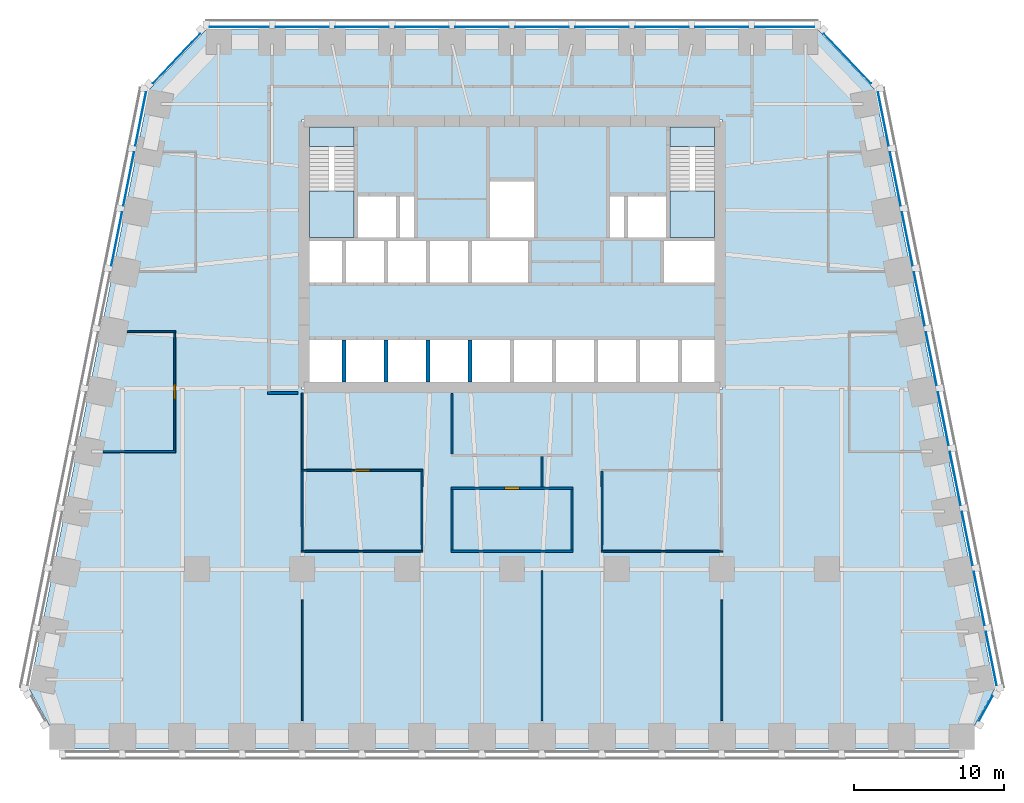
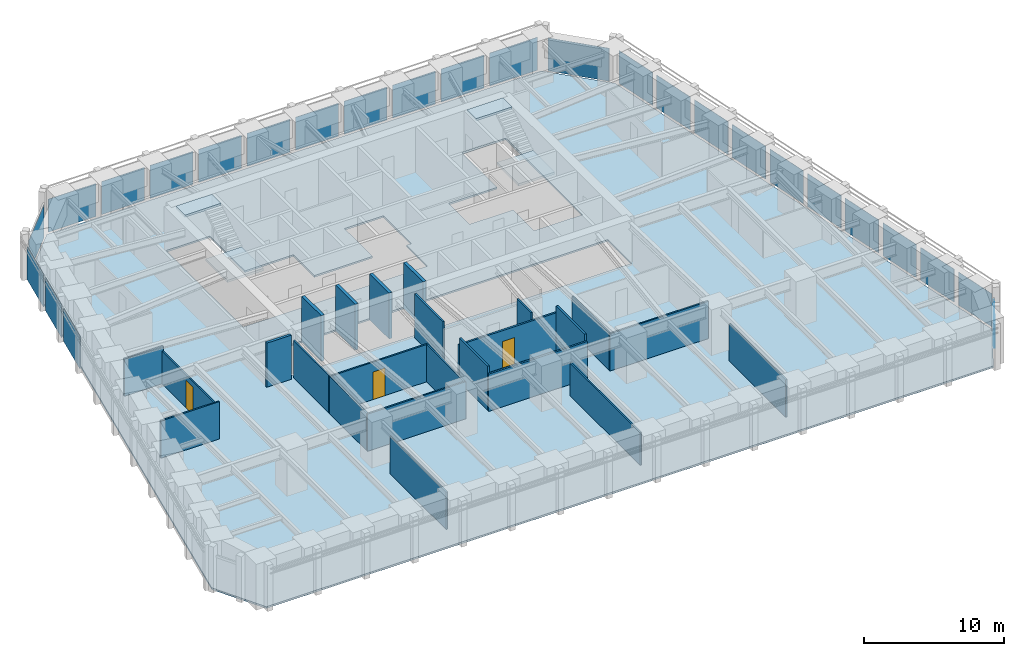
# One storey, part 5 of 10: 26 plates, 24 walls, 5 slabs, 3 doors, 3 openings, 8 elements without a shape of their own.
"""IFC4 building model written with IfcOpenShell, lengths in metres."""

from ifc_helpers import new_model, si_unit, direction, frame, frame_2d, origin, origin_2d, place, context, subcontext, project, spatial, polyline, rectangle, outline, extrude, material, layer, layer_set, type_object, element, fill, aggregate, save


model = new_model("IFC4")

# Units and contexts
model_context = context("Model", 3, precision=1e-05, world=origin(), true_north=direction((0.0, 1.0)))
body_context = subcontext(model_context, "Body", "Model", "MODEL_VIEW")
ifc_project = project(units=[si_unit("LENGTHUNIT", "METRE"), si_unit("AREAUNIT", "SQUARE_METRE"), si_unit("VOLUMEUNIT", "CUBIC_METRE"), si_unit("PLANEANGLEUNIT", "RADIAN"), si_unit("MASSUNIT", "GRAM", prefix="KILO")], contexts=[model_context])

# Site, building, storey
site_placement = place(None, origin())
site = spatial("IfcSite", under=ifc_project, at=site_placement, CompositionType="ELEMENT")
building_placement = place(site_placement, origin())
building = spatial("IfcBuilding", under=site, at=building_placement, Name="Isbrekke Arena Tower", CompositionType="ELEMENT")
storey_placement = place(building_placement, frame((0.0, 0.0, 139.0)))
storey = spatial("IfcBuildingStorey", under=building, at=storey_placement, Name="L31", CompositionType="ELEMENT", Elevation=139.0)

# Curtain wall, plate
ifc_material_1 = material(Name="Glazed aluminium curtain wall", Category="aluminium")
curtain_wall_type = type_object("IfcCurtainWallType", Name="CWM TOWER CURTAIN WALL MID ZONE", PredefinedType="USERDEFINED", material=ifc_material_1)
curtain_wall_1_placement = place(storey_placement, origin())
curtain_wall_1 = element("IfcCurtainWall", 1, at=curtain_wall_1_placement, inside=storey, type_object=curtain_wall_type, Name="CWM curtain wall L31-SE", ObjectType="TOWER CURTAIN WALL MID ZONE", PredefinedType="USERDEFINED")
ifc_material_2 = material(Name="Triple-glazed clear glass unit", Category="glass")
ifc_layer_1 = layer(ifc_material_2, 0.031982421875)
ifc_layer_set_1 = layer_set([ifc_layer_1], Name="CWM-P VISION PANEL")
plate_type = type_object("IfcPlateType", Name="CWM-P VISION PANEL", PredefinedType="CURTAIN_PANEL", material=ifc_layer_set_1)
plate_1_placement = place(storey_placement, frame((31.604248046875, -15.29052734375, 0.02001953125), z_axis=(0.0, 0.0, 1.0), x_axis=(0.481918749773, 0.876215908676, 0.0)))
plate_1 = element("IfcPlate", 2, at=plate_1_placement, type_object=plate_type, Name="CWM-P panel 1", PredefinedType="CURTAIN_PANEL", context=body_context, shape_type="SweptSolid", body=[
    extrude(rectangle(XDim=1.876220703125, YDim=0.031982421875, at=origin_2d()), origin(), (0.0, 0.0, 1.0), 2.8798828125),
])
aggregate(curtain_wall_1, [plate_1])

# Curtain wall, plates
curtain_wall_2_placement = place(storey_placement, origin())
curtain_wall_2 = element("IfcCurtainWall", 3, at=curtain_wall_2_placement, inside=storey, type_object=curtain_wall_type, Name="CWM curtain wall L31-E", ObjectType="TOWER CURTAIN WALL MID ZONE", PredefinedType="USERDEFINED")
plate_2_placement = place(storey_placement, frame((31.9716796875, -11.965576171875, 0.02001953125), z_axis=(0.0, 0.0, 1.0), x_axis=(-0.196116135138, 0.980580675691, 0.0)))
plate_2 = element("IfcPlate", 4, at=plate_2_placement, type_object=plate_type, Name="CWM-P panel 1", PredefinedType="CURTAIN_PANEL", context=body_context, shape_type="SweptSolid", body=[
    extrude(rectangle(XDim=3.629150390625, YDim=0.031982421875, at=origin_2d()), origin(), (0.0, 0.0, 1.0), 2.8798828125),
])
plate_3_placement = place(storey_placement, frame((31.171630859375, -7.965576171875, 0.02001953125), z_axis=(0.0, 0.0, 1.0), x_axis=(-0.196116135138, 0.980580675691, 0.0)))
plate_3 = element("IfcPlate", 5, at=plate_3_placement, type_object=plate_type, Name="CWM-P panel 2", PredefinedType="CURTAIN_PANEL", context=body_context, shape_type="SweptSolid", body=[
    extrude(rectangle(XDim=3.629150390625, YDim=0.031982421875, at=origin_2d()), origin(), (0.0, 0.0, 1.0), 2.8798828125),
])
plate_4_placement = place(storey_placement, frame((30.37158203125, -3.965576171875, 0.02001953125), z_axis=(0.0, 0.0, 1.0), x_axis=(-0.196116135138, 0.980580675691, 0.0)))
plate_4 = element("IfcPlate", 6, at=plate_4_placement, type_object=plate_type, Name="CWM-P panel 3", PredefinedType="CURTAIN_PANEL", context=body_context, shape_type="SweptSolid", body=[
    extrude(rectangle(XDim=3.629150390625, YDim=0.031982421875, at=origin_2d()), origin(), (0.0, 0.0, 1.0), 2.8798828125),
])
plate_5_placement = place(storey_placement, frame((29.571533203125, 0.034423828125, 0.02001953125), z_axis=(0.0, 0.0, 1.0), x_axis=(-0.196116135138, 0.980580675691, 0.0)))
plate_5 = element("IfcPlate", 7, at=plate_5_placement, type_object=plate_type, Name="CWM-P panel 4", PredefinedType="CURTAIN_PANEL", context=body_context, shape_type="SweptSolid", body=[
    extrude(rectangle(XDim=3.629150390625, YDim=0.031982421875, at=origin_2d()), origin(), (0.0, 0.0, 1.0), 2.8798828125),
])
plate_6_placement = place(storey_placement, frame((28.771484375, 4.034423828125, 0.02001953125), z_axis=(0.0, 0.0, 1.0), x_axis=(-0.196116135138, 0.980580675691, 0.0)))
plate_6 = element("IfcPlate", 8, at=plate_6_placement, type_object=plate_type, Name="CWM-P panel 5", PredefinedType="CURTAIN_PANEL", context=body_context, shape_type="SweptSolid", body=[
    extrude(rectangle(XDim=3.629150390625, YDim=0.031982421875, at=origin_2d()), origin(), (0.0, 0.0, 1.0), 2.8798828125),
])
plate_7_placement = place(storey_placement, frame((27.9716796875, 8.034423828125, 0.02001953125), z_axis=(0.0, 0.0, 1.0), x_axis=(-0.196116135138, 0.980580675691, 0.0)))
plate_7 = element("IfcPlate", 9, at=plate_7_placement, type_object=plate_type, Name="CWM-P panel 6", PredefinedType="CURTAIN_PANEL", context=body_context, shape_type="SweptSolid", body=[
    extrude(rectangle(XDim=3.629150390625, YDim=0.031982421875, at=origin_2d()), origin(), (0.0, 0.0, 1.0), 2.8798828125),
])
plate_8_placement = place(storey_placement, frame((27.171630859375, 12.034423828125, 0.02001953125), z_axis=(0.0, 0.0, 1.0), x_axis=(-0.196116135138, 0.980580675691, 0.0)))
plate_8 = element("IfcPlate", 10, at=plate_8_placement, type_object=plate_type, Name="CWM-P panel 7", PredefinedType="CURTAIN_PANEL", context=body_context, shape_type="SweptSolid", body=[
    extrude(rectangle(XDim=3.629150390625, YDim=0.031982421875, at=origin_2d()), origin(), (0.0, 0.0, 1.0), 2.8798828125),
])
plate_9_placement = place(storey_placement, frame((26.37158203125, 16.034423828125, 0.02001953125), z_axis=(0.0, 0.0, 1.0), x_axis=(-0.196116135138, 0.980580675691, 0.0)))
plate_9 = element("IfcPlate", 11, at=plate_9_placement, type_object=plate_type, Name="CWM-P panel 8", PredefinedType="CURTAIN_PANEL", context=body_context, shape_type="SweptSolid", body=[
    extrude(rectangle(XDim=3.629150390625, YDim=0.031982421875, at=origin_2d()), origin(), (0.0, 0.0, 1.0), 2.8798828125),
])
plate_10_placement = place(storey_placement, frame((25.571533203125, 20.034423828125, 0.02001953125), z_axis=(0.0, 0.0, 1.0), x_axis=(-0.196116135138, 0.980580675691, 0.0)))
plate_10 = element("IfcPlate", 12, at=plate_10_placement, type_object=plate_type, Name="CWM-P panel 9", PredefinedType="CURTAIN_PANEL", context=body_context, shape_type="SweptSolid", body=[
    extrude(rectangle(XDim=3.629150390625, YDim=0.031982421875, at=origin_2d()), origin(), (0.0, 0.0, 1.0), 2.8798828125),
])
plate_11_placement = place(storey_placement, frame((24.771484375, 24.034423828125, 0.02001953125), z_axis=(0.0, 0.0, 1.0), x_axis=(-0.196116135138, 0.980580675691, 0.0)))
plate_11 = element("IfcPlate", 13, at=plate_11_placement, type_object=plate_type, Name="CWM-P panel 10", PredefinedType="CURTAIN_PANEL", context=body_context, shape_type="SweptSolid", body=[
    extrude(rectangle(XDim=3.629150390625, YDim=0.031982421875, at=origin_2d()), origin(), (0.0, 0.0, 1.0), 2.8798828125),
])
aggregate(curtain_wall_2, [plate_2, plate_3, plate_4, plate_5, plate_6, plate_7, plate_8, plate_9, plate_10, plate_11])

# Curtain wall, plate
curtain_wall_3_placement = place(storey_placement, origin())
curtain_wall_3 = element("IfcCurtainWall", 14, at=curtain_wall_3_placement, inside=storey, type_object=curtain_wall_type, Name="CWM curtain wall L31-EN", ObjectType="TOWER CURTAIN WALL MID ZONE", PredefinedType="USERDEFINED")
plate_12_placement = place(storey_placement, frame((22.374755859375, 28.06640625, 0.02001953125), z_axis=(0.0, 0.0, 1.0), x_axis=(-0.68874946192, 0.72499943359, 0.0)))
plate_12 = element("IfcPlate", 15, at=plate_12_placement, type_object=plate_type, Name="CWM-P panel 1", PredefinedType="CURTAIN_PANEL", context=body_context, shape_type="SweptSolid", body=[
    extrude(rectangle(XDim=4.558349609375, YDim=0.031982421875, at=origin_2d()), origin(), (0.0, 0.0, 1.0), 2.8798828125),
])
aggregate(curtain_wall_3, [plate_12])

# Curtain wall, plates
curtain_wall_4_placement = place(storey_placement, origin())
curtain_wall_4 = element("IfcCurtainWall", 16, at=curtain_wall_4_placement, inside=storey, type_object=curtain_wall_type, Name="CWM curtain wall L31-N", ObjectType="TOWER CURTAIN WALL MID ZONE", PredefinedType="USERDEFINED")
plate_13_placement = place(storey_placement, frame((18.199951171875, 30.175048828125, 0.02001953125), z_axis=(0.0, 0.0, 1.0), x_axis=(-1.0, 0.0, 0.0)))
plate_13 = element("IfcPlate", 17, at=plate_13_placement, type_object=plate_type, Name="CWM-P panel 1", PredefinedType="CURTAIN_PANEL", context=body_context, shape_type="SweptSolid", body=[
    extrude(rectangle(XDim=3.949951171875, YDim=0.031982421875, at=origin_2d()), origin(), (0.0, 0.0, 1.0), 2.8798828125),
])
plate_14_placement = place(storey_placement, frame((14.0, 30.175048828125, 0.02001953125), z_axis=(0.0, 0.0, 1.0), x_axis=(-1.0, 0.0, 0.0)))
plate_14 = element("IfcPlate", 18, at=plate_14_placement, type_object=plate_type, Name="CWM-P panel 2", PredefinedType="CURTAIN_PANEL", context=body_context, shape_type="SweptSolid", body=[
    extrude(rectangle(XDim=3.550048828125, YDim=0.031982421875, at=origin_2d()), origin(), (0.0, 0.0, 1.0), 2.8798828125),
])
plate_15_placement = place(storey_placement, frame((10.0, 30.175048828125, 0.02001953125), z_axis=(0.0, 0.0, 1.0), x_axis=(-1.0, 0.0, 0.0)))
plate_15 = element("IfcPlate", 19, at=plate_15_placement, type_object=plate_type, Name="CWM-P panel 3", PredefinedType="CURTAIN_PANEL", context=body_context, shape_type="SweptSolid", body=[
    extrude(rectangle(XDim=3.550048828125, YDim=0.031982421875, at=origin_2d()), origin(), (0.0, 0.0, 1.0), 2.8798828125),
])
plate_16_placement = place(storey_placement, frame((6.0, 30.175048828125, 0.02001953125), z_axis=(0.0, 0.0, 1.0), x_axis=(-1.0, 0.0, 0.0)))
plate_16 = element("IfcPlate", 20, at=plate_16_placement, type_object=plate_type, Name="CWM-P panel 4", PredefinedType="CURTAIN_PANEL", context=body_context, shape_type="SweptSolid", body=[
    extrude(rectangle(XDim=3.550048828125, YDim=0.031982421875, at=origin_2d()), origin(), (0.0, 0.0, 1.0), 2.8798828125),
])
plate_17_placement = place(storey_placement, frame((2.0, 30.175048828125, 0.02001953125), z_axis=(0.0, 0.0, 1.0), x_axis=(-1.0, 0.0, 0.0)))
plate_17 = element("IfcPlate", 21, at=plate_17_placement, type_object=plate_type, Name="CWM-P panel 5", PredefinedType="CURTAIN_PANEL", context=body_context, shape_type="SweptSolid", body=[
    extrude(rectangle(XDim=3.550048828125, YDim=0.031982421875, at=origin_2d()), origin(), (0.0, 0.0, 1.0), 2.8798828125),
])
plate_18_placement = place(storey_placement, frame((-2.0, 30.175048828125, 0.02001953125), z_axis=(0.0, 0.0, 1.0), x_axis=(-1.0, 0.0, 0.0)))
plate_18 = element("IfcPlate", 22, at=plate_18_placement, type_object=plate_type, Name="CWM-P panel 6", PredefinedType="CURTAIN_PANEL", context=body_context, shape_type="SweptSolid", body=[
    extrude(rectangle(XDim=3.550048828125, YDim=0.031982421875, at=origin_2d()), origin(), (0.0, 0.0, 1.0), 2.8798828125),
])
plate_19_placement = place(storey_placement, frame((-6.0, 30.175048828125, 0.02001953125), z_axis=(0.0, 0.0, 1.0), x_axis=(-1.0, 0.0, 0.0)))
plate_19 = element("IfcPlate", 23, at=plate_19_placement, type_object=plate_type, Name="CWM-P panel 7", PredefinedType="CURTAIN_PANEL", context=body_context, shape_type="SweptSolid", body=[
    extrude(rectangle(XDim=3.550048828125, YDim=0.031982421875, at=origin_2d()), origin(), (0.0, 0.0, 1.0), 2.8798828125),
])
plate_20_placement = place(storey_placement, frame((-10.0, 30.175048828125, 0.02001953125), z_axis=(0.0, 0.0, 1.0), x_axis=(-1.0, 0.0, 0.0)))
plate_20 = element("IfcPlate", 24, at=plate_20_placement, type_object=plate_type, Name="CWM-P panel 8", PredefinedType="CURTAIN_PANEL", context=body_context, shape_type="SweptSolid", body=[
    extrude(rectangle(XDim=3.550048828125, YDim=0.031982421875, at=origin_2d()), origin(), (0.0, 0.0, 1.0), 2.8798828125),
])
plate_21_placement = place(storey_placement, frame((-14.0, 30.175048828125, 0.02001953125), z_axis=(0.0, 0.0, 1.0), x_axis=(-1.0, 0.0, 0.0)))
plate_21 = element("IfcPlate", 25, at=plate_21_placement, type_object=plate_type, Name="CWM-P panel 9", PredefinedType="CURTAIN_PANEL", context=body_context, shape_type="SweptSolid", body=[
    extrude(rectangle(XDim=3.550048828125, YDim=0.031982421875, at=origin_2d()), origin(), (0.0, 0.0, 1.0), 2.8798828125),
])
plate_22_placement = place(storey_placement, frame((-18.199951171875, 30.175048828125, 0.02001953125), z_axis=(0.0, 0.0, 1.0), x_axis=(-1.0, 0.0, 0.0)))
plate_22 = element("IfcPlate", 26, at=plate_22_placement, type_object=plate_type, Name="CWM-P panel 10", PredefinedType="CURTAIN_PANEL", context=body_context, shape_type="SweptSolid", body=[
    extrude(rectangle(XDim=3.949951171875, YDim=0.031982421875, at=origin_2d()), origin(), (0.0, 0.0, 1.0), 2.8798828125),
])
aggregate(curtain_wall_4, [plate_13, plate_14, plate_15, plate_16, plate_17, plate_18, plate_19, plate_20, plate_21, plate_22])

# Curtain wall, plate
curtain_wall_5_placement = place(storey_placement, origin())
curtain_wall_5 = element("IfcCurtainWall", 27, at=curtain_wall_5_placement, inside=storey, type_object=curtain_wall_type, Name="CWM curtain wall L31-NW", ObjectType="TOWER CURTAIN WALL MID ZONE", PredefinedType="USERDEFINED")
plate_23_placement = place(storey_placement, frame((-22.37451171875, 28.066650390625, 0.02001953125), z_axis=(0.0, 0.0, 1.0), x_axis=(-0.68874946192, -0.72499943359, 0.0)))
plate_23 = element("IfcPlate", 28, at=plate_23_placement, type_object=plate_type, Name="CWM-P panel 1", PredefinedType="CURTAIN_PANEL", context=body_context, shape_type="SweptSolid", body=[
    extrude(rectangle(XDim=4.557373046875, YDim=0.031982421875, at=origin_2d()), origin(), (0.0, 0.0, 1.0), 2.8798828125),
])
aggregate(curtain_wall_5, [plate_23])

# Curtain wall, plates
curtain_wall_6_placement = place(storey_placement, origin())
curtain_wall_6 = element("IfcCurtainWall", 29, at=curtain_wall_6_placement, inside=storey, type_object=curtain_wall_type, Name="CWM curtain wall L31-W", ObjectType="TOWER CURTAIN WALL MID ZONE", PredefinedType="USERDEFINED")
plate_24_placement = place(storey_placement, frame((-24.771484375, 24.034423828125, 0.02001953125), z_axis=(0.0, 0.0, 1.0), x_axis=(-0.196116135138, -0.980580675691, 0.0)))
plate_24 = element("IfcPlate", 30, at=plate_24_placement, type_object=plate_type, Name="CWM-P panel 1", PredefinedType="CURTAIN_PANEL", context=body_context, shape_type="SweptSolid", body=[
    extrude(rectangle(XDim=3.629150390625, YDim=0.031982421875, at=origin_2d()), origin(), (0.0, 0.0, 1.0), 2.8798828125),
])
plate_25_placement = place(storey_placement, frame((-25.571533203125, 20.034423828125, 0.02001953125), z_axis=(0.0, 0.0, 1.0), x_axis=(-0.196116135138, -0.980580675691, 0.0)))
plate_25 = element("IfcPlate", 31, at=plate_25_placement, type_object=plate_type, Name="CWM-P panel 2", PredefinedType="CURTAIN_PANEL", context=body_context, shape_type="SweptSolid", body=[
    extrude(rectangle(XDim=3.629150390625, YDim=0.031982421875, at=origin_2d()), origin(), (0.0, 0.0, 1.0), 2.8798828125),
])
plate_26_placement = place(storey_placement, frame((-26.37158203125, 16.034423828125, 0.02001953125), z_axis=(0.0, 0.0, 1.0), x_axis=(-0.196116135138, -0.980580675691, 0.0)))
plate_26 = element("IfcPlate", 32, at=plate_26_placement, type_object=plate_type, Name="CWM-P panel 3", PredefinedType="CURTAIN_PANEL", context=body_context, shape_type="SweptSolid", body=[
    extrude(rectangle(XDim=3.629150390625, YDim=0.031982421875, at=origin_2d()), origin(), (0.0, 0.0, 1.0), 2.8798828125),
])
aggregate(curtain_wall_6, [plate_24, plate_25, plate_26])

# Slab
ifc_material_3 = material(Name="Concrete B35 (C35/45)", Category="concrete")
ifc_layer_2 = layer(ifc_material_3, 0.14990234375)
ifc_layer_set_2 = layer_set([ifc_layer_2], Name="FS1 COMPOSITE FLOOR 150")
slab_type_1 = type_object("IfcSlabType", Name="FS1 COMPOSITE FLOOR 150", PredefinedType="FLOOR", material=ifc_layer_set_2)
slab_1_placement = place(storey_placement, frame((0.0, 0.0, -0.14990234375)))
element("IfcSlab", 33, at=slab_1_placement, inside=storey, type_object=slab_type_1, Name="FS1 floor slab L31", PredefinedType="FLOOR", context=body_context, shape_type="SweptSolid", body=[
    extrude(outline(polyline([(-30.0, -18.0), (30.0, -18.0), (32.199951171875, -14.0), (24.199951171875, 26.0), (20.39990234375, 30.0), (-20.39990234375, 30.0), (-24.199951171875, 26.0), (-32.199951171875, -14.0), (-30.0, -18.0)]), holes=[polyline([(14.0, 9.39990234375), (14.0, 6.0), (-14.0, 6.0), (-14.0, 9.39990234375), (14.0, 9.39990234375)]), polyline([(-6.39990234375, 19.0), (-6.39990234375, 16.0), (-1.60009765625, 16.0), (-1.60009765625, 20.0), (1.60009765625, 20.0), (1.60009765625, 16.0), (1.199951171875, 16.0), (1.199951171875, 13.0), (-14.0, 13.0), (-14.0, 24.0), (-10.39990234375, 24.0), (-10.39990234375, 19.0), (-6.39990234375, 19.0)]), polyline([(10.0, 13.0), (10.0, 16.0), (6.39990234375, 16.0), (6.39990234375, 19.0), (10.39990234375, 19.0), (10.39990234375, 24.0), (14.0, 24.0), (14.0, 13.0), (10.0, 13.0)])]), origin(), (0.0, 0.0, 1.0), 0.14990234375),
])

# Stair, slabs
ifc_material_4 = material(Name="Concrete B45 (C45/55) precast", Category="concrete")
stair_type = type_object("IfcStairType", Name="ST40 STAIR 1300 WIDE, 24 RISERS 167", PredefinedType="HALF_TURN_STAIR", material=ifc_material_4)
stair_1_placement = place(storey_placement, origin())
stair_1 = element("IfcStair", 34, at=stair_1_placement, inside=storey, type_object=stair_type, Name="ST1 stair L31", PredefinedType="HALF_TURN_STAIR")
ifc_material_5 = material(Name="Concrete B35 (C35/45)", Category="concrete")
ifc_layer_3 = layer(ifc_material_5, 0.199951171875)
ifc_layer_set_3 = layer_set([ifc_layer_3], Name="SL1 STAIR LANDING 200")
slab_type_2 = type_object("IfcSlabType", Name="SL1 STAIR LANDING 200", PredefinedType="LANDING", material=ifc_layer_set_3)
slab_2_placement = place(storey_placement, frame((0.0, 0.0, 1.800048828125)))
slab_2 = element("IfcSlab", 35, at=slab_2_placement, type_object=slab_type_2, Name="ST1 landing 1", PredefinedType="LANDING", context=body_context, shape_type="SweptSolid", body=[
    extrude(outline(polyline([(-13.5, 16.125), (-10.52490234375, 16.125), (-10.52490234375, 19.22998046875), (-13.5, 19.22998046875), (-13.5, 16.125)])), origin(), (0.0, 0.0, 1.0), 0.199951171875),
])
slab_3_placement = place(storey_placement, frame((0.0, 0.0, 3.800048828125)))
slab_3 = element("IfcSlab", 36, at=slab_3_placement, type_object=slab_type_2, Name="ST1 landing 2", PredefinedType="LANDING", context=body_context, shape_type="SweptSolid", body=[
    extrude(outline(polyline([(-13.5, 22.199951171875), (-10.52490234375, 22.199951171875), (-10.52490234375, 23.5), (-13.5, 23.5), (-13.5, 22.199951171875)])), origin(), (0.0, 0.0, 1.0), 0.199951171875),
])
aggregate(stair_1, [slab_2, slab_3])

stair_2_placement = place(storey_placement, origin())
stair_2 = element("IfcStair", 37, at=stair_2_placement, inside=storey, type_object=stair_type, Name="ST2 stair L31", PredefinedType="HALF_TURN_STAIR")
slab_4_placement = place(storey_placement, frame((0.0, 0.0, 1.800048828125)))
slab_4 = element("IfcSlab", 38, at=slab_4_placement, type_object=slab_type_2, Name="ST2 landing 1", PredefinedType="LANDING", context=body_context, shape_type="SweptSolid", body=[
    extrude(outline(polyline([(10.52490234375, 16.125), (13.5, 16.125), (13.5, 19.22998046875), (10.52490234375, 19.22998046875), (10.52490234375, 16.125)])), origin(), (0.0, 0.0, 1.0), 0.199951171875),
])
slab_5_placement = place(storey_placement, frame((0.0, 0.0, 3.800048828125)))
slab_5 = element("IfcSlab", 39, at=slab_5_placement, type_object=slab_type_2, Name="ST2 landing 2", PredefinedType="LANDING", context=body_context, shape_type="SweptSolid", body=[
    extrude(outline(polyline([(10.52490234375, 22.199951171875), (13.5, 22.199951171875), (13.5, 23.5), (10.52490234375, 23.5), (10.52490234375, 22.199951171875)])), origin(), (0.0, 0.0, 1.0), 0.199951171875),
])
aggregate(stair_2, [slab_4, slab_5])

# Walls
ifc_material_6 = material(Name="Concrete B45 (C45/55)", Category="concrete")
ifc_layer_4 = layer(ifc_material_6, 0.25)
ifc_layer_set_4 = layer_set([ifc_layer_4], Name="CW6 SHAFT WALL 250")
wall_type_1 = type_object("IfcWallType", Name="CW6 SHAFT WALL 250", PredefinedType="SHEAR", material=ifc_layer_set_4)
for number, where, z_axis, x_axis, name in (
    (40, (-11.199951171875, 6.5, 0.0), (0.0, 0.0, 1.0), (0.0, 1.0, 0.0), "Core wall SS01 L31"),
    (41, (-8.39990234375, 6.5, 0.0), (0.0, 0.0, 1.0), (0.0, 1.0, 0.0), "Core wall SS02 L31"),
    (42, (-5.60009765625, 6.5, 0.0), (0.0, 0.0, 1.0), (0.0, 1.0, 0.0), "Core wall SS03 L31"),
    (43, (-2.800048828125, 6.5, 0.0), (0.0, 0.0, 1.0), (0.0, 1.0, 0.0), "Core wall SS04 L31"),
):
    element("IfcWall", number, at=place(storey_placement, frame(where, z_axis=z_axis, x_axis=x_axis)), inside=storey, type_object=wall_type_1, Name=name, PredefinedType="SHEAR", context=body_context, shape_type="SweptSolid", body=[
        extrude(rectangle(XDim=2.77490234375, YDim=0.25, at=frame_2d((1.387451171875, 0.0))), origin(), (0.0, 0.0, 1.0), 4.0),
    ])
ifc_material_7 = material(Name="Gypsum board partition on steel studs", Category="steel")
ifc_layer_5 = layer(ifc_material_7, 0.14990234375)
ifc_layer_set_5 = layer_set([ifc_layer_5], Name="IW1 PARTITION 150")
wall_type_2 = type_object("IfcWallType", Name="IW1 PARTITION 150", PredefinedType="PARTITIONING", material=ifc_layer_set_5)
wall_1_placement = place(storey_placement, frame((-4.074951171875, -4.800048828125, 0.0), z_axis=(0.0, 0.0, 1.0), x_axis=(1.0, 0.0, 0.0)))
element("IfcWall", 44, at=wall_1_placement, inside=storey, type_object=wall_type_2, Name="IW1 partition 150 L31", PredefinedType="PARTITIONING", context=body_context, shape_type="SweptSolid", body=[
    extrude(rectangle(XDim=8.14990234375, YDim=0.14990234375, at=frame_2d((4.074951171875, 0.0))), origin(), (0.0, 0.0, 1.0), 3.25),
])

# Wall, opening, door
wall_2_placement = place(storey_placement, frame((-4.074951171875, -0.60009765625, 0.0), z_axis=(0.0, 0.0, 1.0), x_axis=(1.0, 0.0, 0.0)))
wall_2 = element("IfcWall", 45, at=wall_2_placement, inside=storey, type_object=wall_type_2, Name="IW1 partition 150 L31", PredefinedType="PARTITIONING", context=body_context, shape_type="SweptSolid", body=[
    extrude(rectangle(XDim=8.14990234375, YDim=0.14990234375, at=frame_2d((4.074951171875, 0.0))), origin(), (0.0, 0.0, 1.0), 3.25),
])
opening_1_placement = place(wall_2_placement, frame((3.574951171875, 0.0, 0.0)))
opening_1 = element("IfcOpeningElement", 46, at=opening_1_placement, cuts=wall_2, Name="Opening D10", PredefinedType="OPENING", context=body_context, shape_type="SweptSolid", body=[
    extrude(rectangle(XDim=1.0, YDim=2.300048828125, at=frame_2d((0.5, 1.14990234375))), frame((0.0, 0.08984375, 0.0), z_axis=(0.0, -1.0, 0.0), x_axis=(1.0, 0.0, 0.0)), (0.0, 0.0, 1.0), 0.1796875),
])
ifc_material_8 = material(Name="Timber door", Category="wood")
door_type_1 = type_object("IfcDoorType", Name="D10 OFFICE DOOR 1000 x 2300", OperationType="SINGLE_SWING_LEFT", PredefinedType="DOOR", material=ifc_material_8)
door_1_placement = place(opening_1_placement, origin())
door_1 = element("IfcDoor", 47, at=door_1_placement, inside=storey, type_object=door_type_1, Name="D10 pantry door L31", OperationType="SINGLE_SWING_LEFT", OverallHeight=2.300048828125, OverallWidth=1.0, PredefinedType="DOOR", context=body_context, shape_type="SweptSolid", body=[
    extrude(rectangle(XDim=1.0, YDim=2.300048828125, at=frame_2d((0.5, 1.14990234375))), frame((0.0, 0.07470703125, 0.0), z_axis=(0.0, -1.0, 0.0), x_axis=(1.0, 0.0, 0.0)), (0.0, 0.0, 1.0), 0.1494140625),
])
fill(opening_1, door_1)

# Walls
wall_3_placement = place(storey_placement, frame((-4.0, -4.72509765625, 0.0), z_axis=(0.0, 0.0, 1.0), x_axis=(0.0, 1.0, 0.0)))
element("IfcWall", 48, at=wall_3_placement, inside=storey, type_object=wall_type_2, Name="IW1 partition 150 L31", PredefinedType="PARTITIONING", context=body_context, shape_type="SweptSolid", body=[
    extrude(rectangle(XDim=4.050048828125, YDim=0.14990234375, at=frame_2d((2.02490234375, 0.0))), origin(), (0.0, 0.0, 1.0), 3.85009765625),
])
wall_4_placement = place(storey_placement, frame((-4.0, 1.675048828125, 0.0), z_axis=(0.0, 0.0, 1.0), x_axis=(0.0, 1.0, 0.0)))
element("IfcWall", 49, at=wall_4_placement, inside=storey, type_object=wall_type_2, Name="IW1 partition 150 L31", PredefinedType="PARTITIONING", context=body_context, shape_type="SweptSolid", body=[
    extrude(rectangle(XDim=4.044921875, YDim=0.14990234375, at=frame_2d((2.0224609375, 0.0))), origin(), (0.0, 0.0, 1.0), 3.85009765625),
])
wall_5_placement = place(storey_placement, frame((4.0, -4.72509765625, 0.0), z_axis=(0.0, 0.0, 1.0), x_axis=(0.0, 1.0, 0.0)))
element("IfcWall", 50, at=wall_5_placement, inside=storey, type_object=wall_type_2, Name="IW1 partition 150 L31", PredefinedType="PARTITIONING", context=body_context, shape_type="SweptSolid", body=[
    extrude(rectangle(XDim=4.050048828125, YDim=0.14990234375, at=frame_2d((2.02490234375, 0.0))), origin(), (0.0, 0.0, 1.0), 3.85009765625),
])
ifc_material_9 = material(Name="Frameless glazed partition, laminated acoustic glass", Category="glass")
ifc_layer_6 = layer(ifc_material_9, 0.1201171875)
ifc_layer_set_6 = layer_set([ifc_layer_6], Name="IW2 GLAZED PARTITION 120")
wall_type_3 = type_object("IfcWallType", Name="IW2 GLAZED PARTITION 120", PredefinedType="PARTITIONING", material=ifc_layer_set_6)
for number, where, z_axis, x_axis, name in (
    (51, (-14.06005859375, -4.800048828125, 0.0), (0.0, 0.0, 1.0), (1.0, 0.0, 0.0), "IW2 glazed partition 120 L31"),
    (52, (5.93994140625, -4.800048828125, 0.0), (0.0, 0.0, 1.0), (1.0, 0.0, 0.0), "IW2 glazed partition 120 L31"),
):
    element("IfcWall", number, at=place(storey_placement, frame(where, z_axis=z_axis, x_axis=x_axis)), inside=storey, type_object=wall_type_3, Name=name, PredefinedType="PARTITIONING", context=body_context, shape_type="SweptSolid", body=[
        extrude(rectangle(XDim=8.1201171875, YDim=0.1201171875, at=frame_2d((4.06005859375, 0.0))), origin(), (0.0, 0.0, 1.0), 3.25),
    ])

# Wall, opening, door
wall_6_placement = place(storey_placement, frame((-14.06005859375, 0.60009765625, 0.0), z_axis=(0.0, 0.0, 1.0), x_axis=(1.0, 0.0, 0.0)))
wall_6 = element("IfcWall", 53, at=wall_6_placement, inside=storey, type_object=wall_type_3, Name="IW2 glazed partition 120 L31", PredefinedType="PARTITIONING", context=body_context, shape_type="SweptSolid", body=[
    extrude(rectangle(XDim=8.1201171875, YDim=0.1201171875, at=frame_2d((4.06005859375, 0.0))), origin(), (0.0, 0.0, 1.0), 3.25),
])
opening_2_placement = place(wall_6_placement, frame((3.56005859375, 0.0, 0.0)))
opening_2 = element("IfcOpeningElement", 54, at=opening_2_placement, cuts=wall_6, Name="Opening D11", PredefinedType="OPENING", context=body_context, shape_type="SweptSolid", body=[
    extrude(rectangle(XDim=1.0, YDim=2.39990234375, at=frame_2d((0.5, 1.199951171875))), frame((0.0, 0.074951171875, 0.0), z_axis=(0.0, -1.0, 0.0), x_axis=(1.0, 0.0, 0.0)), (0.0, 0.0, 1.0), 0.14990234375),
])
ifc_material_10 = material(Name="Frameless glazed door", Category="glass")
door_type_2 = type_object("IfcDoorType", Name="D11 GLAZED MEETING ROOM DOOR 1000 x 2400", OperationType="SINGLE_SWING_RIGHT", PredefinedType="DOOR", material=ifc_material_10)
door_2_placement = place(opening_2_placement, origin())
door_2 = element("IfcDoor", 55, at=door_2_placement, inside=storey, type_object=door_type_2, Name="D11 meeting room door L31", OperationType="SINGLE_SWING_RIGHT", OverallHeight=2.39990234375, OverallWidth=1.0, PredefinedType="DOOR", context=body_context, shape_type="SweptSolid", body=[
    extrude(rectangle(XDim=1.0, YDim=2.39990234375, at=frame_2d((0.5, 1.199951171875))), frame((0.0, 0.059814453125, 0.0), z_axis=(0.0, -1.0, 0.0), x_axis=(1.0, 0.0, 0.0)), (0.0, 0.0, 1.0), 0.11962890625),
])
fill(opening_2, door_2)

# Walls
wall_7_placement = place(storey_placement, frame((-27.272705078125, 1.840087890625, 0.0), z_axis=(0.0, 0.0, 1.0), x_axis=(1.0, 0.0, 0.0)))
element("IfcWall", 56, at=wall_7_placement, inside=storey, type_object=wall_type_3, Name="IW2 glazed partition 120 L31", PredefinedType="PARTITIONING", context=body_context, shape_type="SweptSolid", body=[
    extrude(rectangle(XDim=4.832763671875, YDim=0.1201171875, at=frame_2d((2.41650390625, 0.0))), origin(), (0.0, 0.0, 1.0), 3.25),
])
wall_8_placement = place(storey_placement, frame((-25.6728515625, 9.840087890625, 0.0), z_axis=(0.0, 0.0, 1.0), x_axis=(1.0, 0.0, 0.0)))
element("IfcWall", 57, at=wall_8_placement, inside=storey, type_object=wall_type_3, Name="IW2 glazed partition 120 L31", PredefinedType="PARTITIONING", context=body_context, shape_type="SweptSolid", body=[
    extrude(rectangle(XDim=3.23291015625, YDim=0.1201171875, at=frame_2d((1.616455078125, 0.0))), origin(), (0.0, 0.0, 1.0), 3.25),
])

# Wall, opening, door
wall_9_placement = place(storey_placement, frame((-22.5, 1.89990234375, 0.0), z_axis=(0.0, 0.0, 1.0), x_axis=(0.0, 1.0, 0.0)))
wall_9 = element("IfcWall", 58, at=wall_9_placement, inside=storey, type_object=wall_type_3, Name="IW2 glazed partition 120 L31", PredefinedType="PARTITIONING", context=body_context, shape_type="SweptSolid", body=[
    extrude(rectangle(XDim=7.880126953125, YDim=0.1201171875, at=frame_2d((3.93994140625, 0.0))), origin(), (0.0, 0.0, 1.0), 2.842041015625),
])
opening_3_placement = place(wall_9_placement, frame((3.43994140625, 0.0, 0.0)))
opening_3 = element("IfcOpeningElement", 59, at=opening_3_placement, cuts=wall_9, Name="Opening D11", PredefinedType="OPENING", context=body_context, shape_type="SweptSolid", body=[
    extrude(rectangle(XDim=1.0, YDim=2.39990234375, at=frame_2d((0.5, 1.199951171875))), frame((0.0, 0.074951171875, 0.0), z_axis=(0.0, -1.0, 0.0), x_axis=(1.0, 0.0, 0.0)), (0.0, 0.0, 1.0), 0.14990234375),
])
door_3_placement = place(opening_3_placement, origin())
door_3 = element("IfcDoor", 60, at=door_3_placement, inside=storey, type_object=door_type_2, Name="D11 project room door L31", OperationType="SINGLE_SWING_RIGHT", OverallHeight=2.39990234375, OverallWidth=1.0, PredefinedType="DOOR", context=body_context, shape_type="SweptSolid", body=[
    extrude(rectangle(XDim=1.0, YDim=2.39990234375, at=frame_2d((0.5, 1.199951171875))), frame((0.0, 0.059814453125, 0.0), z_axis=(0.0, -1.0, 0.0), x_axis=(1.0, 0.0, 0.0)), (0.0, 0.0, 1.0), 0.11962890625),
])
fill(opening_3, door_3)

# Walls
for number, where, z_axis, x_axis, name in (
    (61, (-14.0, -4.739990234375, 0.0), (0.0, 0.0, 1.0), (0.0, 1.0, 0.0), "IW2 glazed partition 120 L31"),
    (62, (-6.0, -4.739990234375, 0.0), (0.0, 0.0, 1.0), (0.0, 1.0, 0.0), "IW2 glazed partition 120 L31"),
    (63, (6.0, -4.739990234375, 0.0), (0.0, 0.0, 1.0), (0.0, 1.0, 0.0), "IW2 glazed partition 120 L31"),
):
    element("IfcWall", number, at=place(storey_placement, frame(where, z_axis=z_axis, x_axis=x_axis)), inside=storey, type_object=wall_type_3, Name=name, PredefinedType="PARTITIONING", context=body_context, shape_type="SweptSolid", body=[
        extrude(rectangle(XDim=5.280029296875, YDim=0.1201171875, at=frame_2d((2.64013671875, 0.0))), origin(), (0.0, 0.0, 1.0), 3.25),
    ])
wall_10_placement = place(storey_placement, frame((-13.9990234375, -16.10009765625, 0.0), z_axis=(0.0, 0.0, 1.0), x_axis=(0.0, 1.0, 0.0)))
element("IfcWall", 64, at=wall_10_placement, inside=storey, type_object=wall_type_3, Name="IW2 glazed partition 120 L31", PredefinedType="PARTITIONING", context=body_context, shape_type="SweptSolid", body=[
    extrude(rectangle(XDim=8.050048828125, YDim=0.1201171875, at=frame_2d((4.02490234375, 0.0))), origin(), (0.0, 0.0, 1.0), 3.25),
])
wall_11_placement = place(storey_placement, frame((-13.9990234375, 0.679931640625, 0.0), z_axis=(0.0, 0.0, 1.0), x_axis=(0.0, 1.0, 0.0)))
element("IfcWall", 65, at=wall_11_placement, inside=storey, type_object=wall_type_3, Name="IW2 glazed partition 120 L31", PredefinedType="PARTITIONING", context=body_context, shape_type="SweptSolid", body=[
    extrude(rectangle(XDim=5.070068359375, YDim=0.1201171875, at=frame_2d((2.53515625, 0.0))), origin(), (0.0, 0.0, 1.0), 3.25),
])
wall_12_placement = place(storey_placement, frame((2.0009765625, -16.10009765625, 0.0), z_axis=(0.0, 0.0, 1.0), x_axis=(0.0, 1.0, 0.0)))
element("IfcWall", 66, at=wall_12_placement, inside=storey, type_object=wall_type_3, Name="IW2 glazed partition 120 L31", PredefinedType="PARTITIONING", context=body_context, shape_type="SweptSolid", body=[
    extrude(rectangle(XDim=10.005126953125, YDim=0.1201171875, at=frame_2d((5.00244140625, 0.0))), origin(), (0.0, 0.0, 1.0), 2.842041015625),
])
wall_13_placement = place(storey_placement, frame((2.0009765625, -0.5048828125, 0.0), z_axis=(0.0, 0.0, 1.0), x_axis=(0.0, 1.0, 0.0)))
element("IfcWall", 67, at=wall_13_placement, inside=storey, type_object=wall_type_3, Name="IW2 glazed partition 120 L31", PredefinedType="PARTITIONING", context=body_context, shape_type="SweptSolid", body=[
    extrude(rectangle(XDim=2.009765625, YDim=0.1201171875, at=frame_2d((1.0048828125, 0.0))), origin(), (0.0, 0.0, 1.0), 3.85009765625),
])
wall_14_placement = place(storey_placement, frame((14.0009765625, -16.10009765625, 0.0), z_axis=(0.0, 0.0, 1.0), x_axis=(0.0, 1.0, 0.0)))
element("IfcWall", 68, at=wall_14_placement, inside=storey, type_object=wall_type_3, Name="IW2 glazed partition 120 L31", PredefinedType="PARTITIONING", context=body_context, shape_type="SweptSolid", body=[
    extrude(rectangle(XDim=8.050048828125, YDim=0.1201171875, at=frame_2d((4.02490234375, 0.0))), origin(), (0.0, 0.0, 1.0), 3.25),
])
ifc_material_11 = material(Name="Gypsum board fire-cell wall on steel studs, two layers each side", Category="steel")
ifc_layer_7 = layer(ifc_material_11, 0.199951171875)
ifc_layer_set_7 = layer_set([ifc_layer_7], Name="IW3 FIRE-CELL WALL 200")
wall_type_4 = type_object("IfcWallType", Name="IW3 FIRE-CELL WALL 200", PredefinedType="PARTITIONING", material=ifc_layer_set_7)
wall_15_placement = place(storey_placement, frame((-16.300048828125, 5.75, 0.0), z_axis=(0.0, 0.0, 1.0), x_axis=(1.0, 0.0, 0.0)))
element("IfcWall", 69, at=wall_15_placement, inside=storey, type_object=wall_type_4, Name="IW3 fire-cell wall 200 L31", PredefinedType="PARTITIONING", context=body_context, shape_type="SweptSolid", body=[
    extrude(rectangle(XDim=2.02001953125, YDim=0.199951171875, at=frame_2d((1.010009765625, 0.0))), origin(), (0.0, 0.0, 1.0), 3.85009765625),
])

save(model, "model.ifc")
